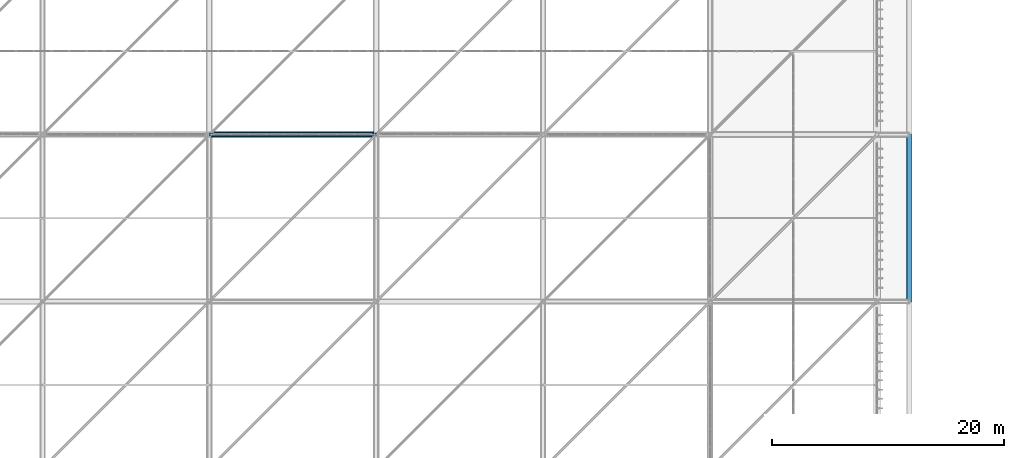
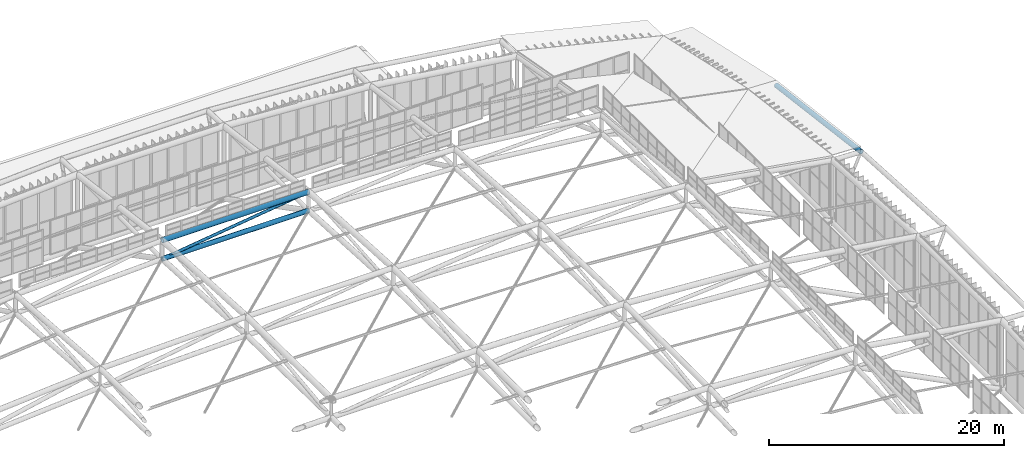
# One storey, part 298 of 397: 3 beams, 1 member.
"""IFC4 building model written with IfcOpenShell, lengths in metres."""

from ifc_helpers import new_model, si_unit, direction, frame, origin, origin_2d, place, context, subcontext, project, spatial, hollow_circle, extrude, material, material_profile, profile_set, type_object, element, save


model = new_model("IFC4")

# Units and contexts
model_context = context("Model", 3, precision=1e-05, world=origin(), true_north=direction((0.0, 1.0)))
body_context = subcontext(model_context, "Body", "Model", "MODEL_VIEW")
ifc_project = project(units=[si_unit("LENGTHUNIT", "METRE"), si_unit("AREAUNIT", "SQUARE_METRE"), si_unit("VOLUMEUNIT", "CUBIC_METRE"), si_unit("PLANEANGLEUNIT", "RADIAN"), si_unit("MASSUNIT", "GRAM", prefix="KILO")], contexts=[model_context])

# Site, building, storey
site_placement = place(None, origin())
site = spatial("IfcSite", under=ifc_project, at=site_placement, CompositionType="ELEMENT")
building_placement = place(site_placement, origin())
building = spatial("IfcBuilding", under=site, at=building_placement, Name="Qandorah Velis Arena", CompositionType="ELEMENT")
storey_placement = place(building_placement, frame((0.0, 0.0, 27.5)))
storey = spatial("IfcBuildingStorey", under=building, at=storey_placement, Name="RF", CompositionType="ELEMENT", Elevation=27.5)

# Beams
ifc_material = material(Name="Steel S355", Category="steel")
ifc_material_profile_1 = material_profile(ifc_material, hollow_circle(Radius=0.228515625, WallThickness=0.01611328125, at=origin_2d()), Name="CHS 457x16")
ifc_profile_set_1 = profile_set([ifc_material_profile_1], Name="Steel S355")
beam_type_1 = type_object("IfcBeamType", Name="STR-SFC-CHS457X16", PredefinedType="USERDEFINED", material=ifc_profile_set_1)
beam_1_placement = place(storey_placement, frame((57.60009765625, 100.800048828125, 7.61328125), z_axis=(1.0, 0.0, 0.0), x_axis=(0.0, 1.0, 0.0)))
element("IfcBeam", 1, at=beam_1_placement, inside=storey, type_object=beam_type_1, Name="Space frame roof truss bottom chord X 3.6", ObjectType="ROOF TRUSS", PredefinedType="USERDEFINED", context=body_context, shape_type="SweptSolid", body=[
    extrude(hollow_circle(Radius=0.228515625, WallThickness=0.01611328125, at=origin_2d()), origin(), (0.0, 0.0, 1.0), 14.39990234375),
])
beam_2_placement = place(storey_placement, frame((118.0, 86.39990234375, 6.348388671875), z_axis=(0.0, 0.991934445753, -0.12675194408), x_axis=(-1.0, 0.0, 0.0)))
element("IfcBeam", 2, at=beam_2_placement, inside=storey, type_object=beam_type_1, Name="Space frame eave fascia ring E-5", ObjectType="ROOF TRUSS", PredefinedType="USERDEFINED", context=body_context, shape_type="SweptSolid", body=[
    extrude(hollow_circle(Radius=0.228515625, WallThickness=0.01611328125, at=origin_2d()), origin(), (0.0, 0.0, 1.0), 14.517333984375),
])
ifc_material_profile_2 = material_profile(ifc_material, hollow_circle(Radius=0.25390625, WallThickness=0.02001953125, at=origin_2d()), Name="CHS 508x20")
ifc_profile_set_2 = profile_set([ifc_material_profile_2], Name="Steel S355")
beam_type_2 = type_object("IfcBeamType", Name="STR-SFC-CHS508X20", PredefinedType="USERDEFINED", material=ifc_profile_set_2)
beam_3_placement = place(storey_placement, frame((57.60009765625, 100.800048828125, 9.563232421875), z_axis=(1.0, 0.0, 0.0), x_axis=(0.0, 1.0, 0.0)))
element("IfcBeam", 3, at=beam_3_placement, inside=storey, type_object=beam_type_2, Name="Space frame roof truss top chord X 3.6", ObjectType="ROOF TRUSS", PredefinedType="USERDEFINED", context=body_context, shape_type="SweptSolid", body=[
    extrude(hollow_circle(Radius=0.25390625, WallThickness=0.02001953125, at=origin_2d()), origin(), (0.0, 0.0, 1.0), 14.39990234375),
])

# Member
ifc_material_profile_3 = material_profile(ifc_material, hollow_circle(Radius=0.136474609375, WallThickness=0.010009765625, at=origin_2d()), Name="CHS 273x10")
ifc_profile_set_3 = profile_set([ifc_material_profile_3], Name="Steel S355")
member_type = type_object("IfcMemberType", Name="STR-SFD-CHS273X10", PredefinedType="STRUT", material=ifc_profile_set_3)
member_placement = place(storey_placement, frame((57.60009765625, 100.800048828125, 7.61328125), z_axis=(0.990955693773, 0.0, 0.134189466721), x_axis=(0.0, 1.0, 0.0)))
element("IfcMember", 4, at=member_placement, inside=storey, type_object=member_type, Name="Space frame roof diagonal X 3.6", PredefinedType="STRUT", context=body_context, shape_type="SweptSolid", body=[
    extrude(hollow_circle(Radius=0.136474609375, WallThickness=0.010009765625, at=origin_2d()), origin(), (0.0, 0.0, 1.0), 14.53125),
])

save(model, "model.ifc")
